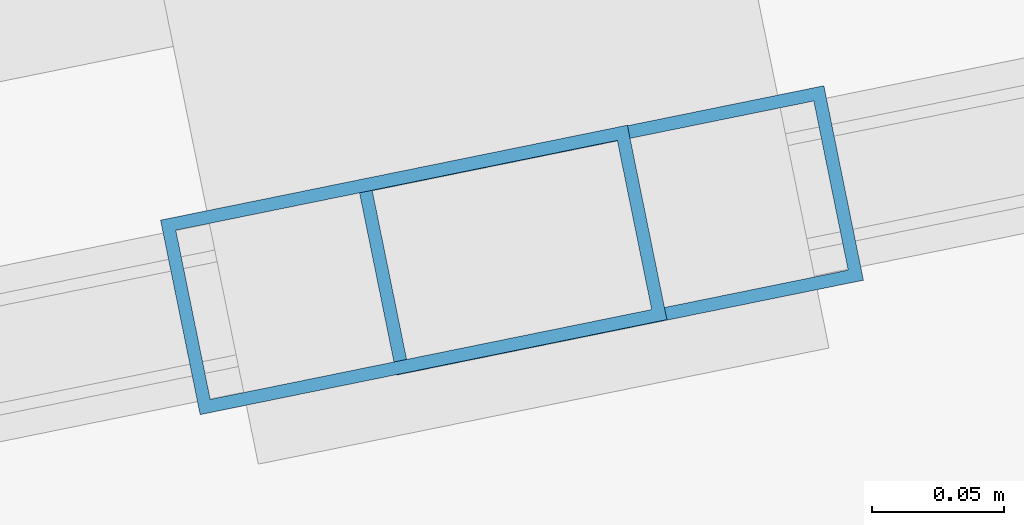
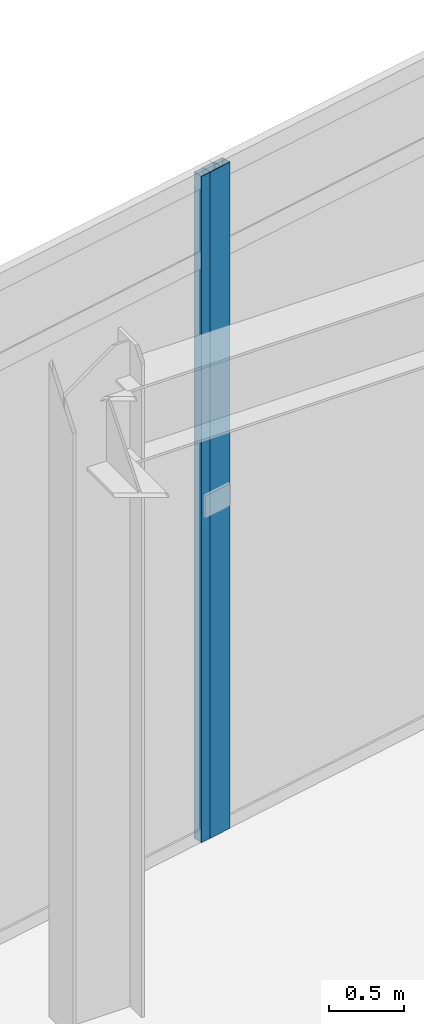
# One storey, part 50 of 98: 2 members, 2 elements without a shape of their own.
"""IFC4 building model written with IfcOpenShell, lengths in metres."""

from ifc_helpers import new_model, si_unit, direction, frame, origin, origin_2d, place, context, subcontext, project, spatial, hollow_rectangle, extrude, material, layer, layer_set, material_profile, profile_set, type_object, element, aggregate, save


model = new_model("IFC4")

# Units and contexts
model_context = context("Model", 3, precision=1e-05, world=origin(), true_north=direction((0.0, 1.0)))
body_context = subcontext(model_context, "Body", "Model", "MODEL_VIEW")
ifc_project = project(units=[si_unit("LENGTHUNIT", "METRE"), si_unit("AREAUNIT", "SQUARE_METRE"), si_unit("VOLUMEUNIT", "CUBIC_METRE"), si_unit("PLANEANGLEUNIT", "RADIAN"), si_unit("MASSUNIT", "GRAM", prefix="KILO")], contexts=[model_context])

# Site, building, storey
site_placement = place(None, origin())
site = spatial("IfcSite", under=ifc_project, at=site_placement, CompositionType="ELEMENT")
building_placement = place(site_placement, origin())
building = spatial("IfcBuilding", under=site, at=building_placement, Name="Sollismere Congress Hotel", CompositionType="ELEMENT")
storey_placement = place(building_placement, frame((0.0, 0.0, 5.39990234375)))
storey = spatial("IfcBuildingStorey", under=building, at=storey_placement, Name="L01", CompositionType="ELEMENT", Elevation=5.39990234375)

# Curtain wall, member
ifc_material_1 = material(Name="Anodized Bronze Curtain Wall & Low-E Triple Glazing", Category="glass")
ifc_layer = layer(ifc_material_1, 0.199951171875, Name="Anodized Bronze Curtain Wall & Low-E Triple Glazing")
ifc_layer_set = layer_set([ifc_layer], Name="Anodized Bronze Curtain Wall & Low-E Triple Glazing")
curtain_wall_type = type_object("IfcCurtainWallType", Name="CW-GLZ36", PredefinedType="USERDEFINED", material=ifc_layer_set)
curtain_wall_1_placement = place(storey_placement, origin())
curtain_wall_1 = element("IfcCurtainWall", 1, at=curtain_wall_1_placement, inside=storey, type_object=curtain_wall_type, Name="Unitised curtain wall CW-L01-081", ObjectType="UNITISED CURTAIN WALL", PredefinedType="USERDEFINED")
ifc_material_2 = material(Name="Anodized Aluminum 6063-T6", Category="aluminium")
ifc_material_profile = material_profile(ifc_material_2, hollow_rectangle(XDim=0.074951171875, YDim=0.179931640625, WallThickness=0.0048828125, at=origin_2d()), Name="ALU180X75X5")
ifc_profile_set = profile_set([ifc_material_profile], Name="Anodized Aluminum 6063-T6")
member_type = type_object("IfcMemberType", Name="ML-CW180", PredefinedType="MULLION", material=ifc_profile_set)
member_1_placement = place(storey_placement, frame((62.087890625, 103.851806640625, 0.0), z_axis=(0.0, 0.0, 1.0), x_axis=(-0.199367934417, 0.979924704621, 0.0)))
member_1 = element("IfcMember", 2, at=member_1_placement, type_object=member_type, Name="CWL-CW-L01-081-ML03", PredefinedType="MULLION", context=body_context, shape_type="SweptSolid", body=[
    extrude(hollow_rectangle(XDim=0.074951171875, YDim=0.179931640625, WallThickness=0.0048828125, at=origin_2d()), origin(), (0.0, 0.0, 1.0), 5.400146484375),
])
aggregate(curtain_wall_1, [member_1])

curtain_wall_2_placement = place(storey_placement, origin())
curtain_wall_2 = element("IfcCurtainWall", 3, at=curtain_wall_2_placement, inside=storey, type_object=curtain_wall_type, Name="Unitised curtain wall CW-L01-082", ObjectType="UNITISED CURTAIN WALL", PredefinedType="USERDEFINED")
member_2_placement = place(storey_placement, frame((62.162109375, 103.86669921875, 0.0), z_axis=(0.0, 0.0, 1.0), x_axis=(-0.199367934417, 0.979924704621, 0.0)))
member_2 = element("IfcMember", 4, at=member_2_placement, type_object=member_type, Name="CWL-CW-L01-082-ML01", PredefinedType="MULLION", context=body_context, shape_type="SweptSolid", body=[
    extrude(hollow_rectangle(XDim=0.074951171875, YDim=0.179931640625, WallThickness=0.0048828125, at=origin_2d()), origin(), (0.0, 0.0, 1.0), 5.400146484375),
])
aggregate(curtain_wall_2, [member_2])

save(model, "model.ifc")
